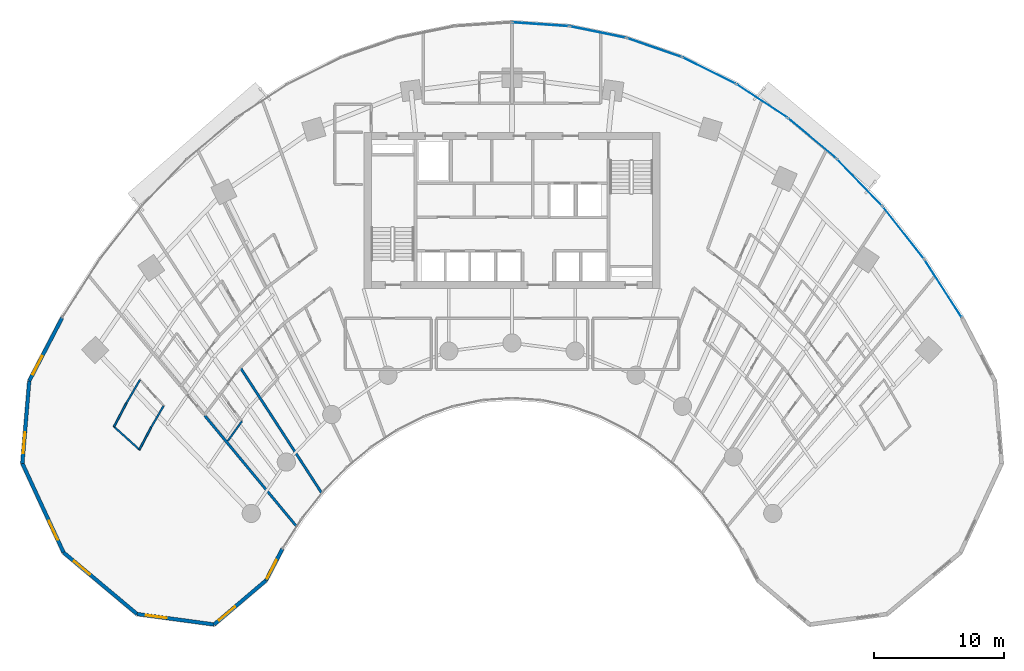
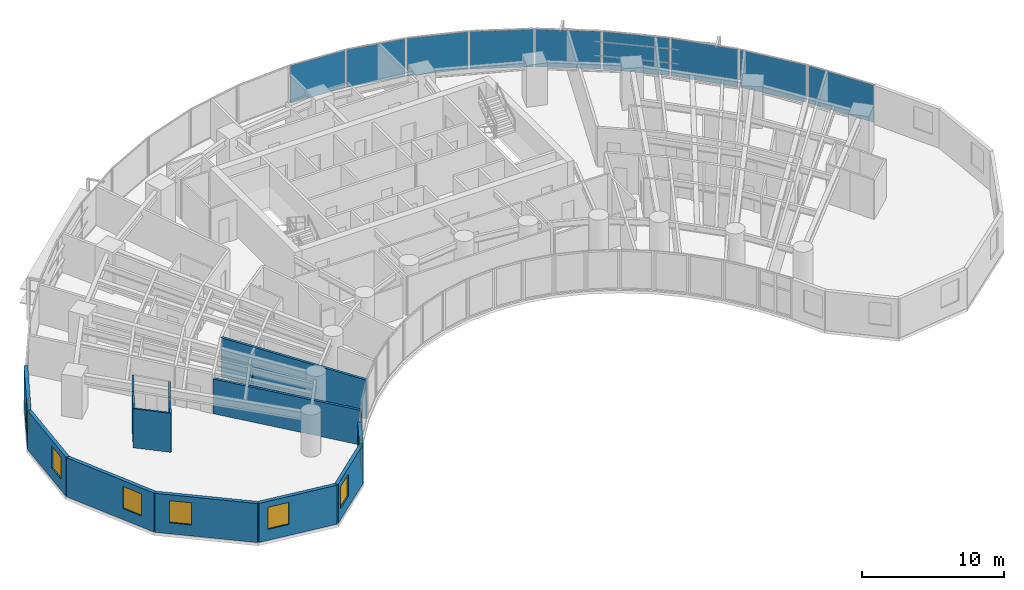
# One storey, part 10 of 18: 15 walls, 9 plates, 7 windows, 7 openings, 9 elements without a shape of their own.
"""IFC4 building model written with IfcOpenShell, lengths in metres."""

from ifc_helpers import new_model, si_unit, direction, frame, frame_2d, origin, origin_2d, place, context, subcontext, project, spatial, rectangle, extrude, source, transform, mapped, material, layer, layer_set, type_object, type_shapes, element, fill, aggregate, save


model = new_model("IFC4")

# Units and contexts
model_context = context("Model", 3, precision=1e-05, world=origin(), true_north=direction((0.0, 1.0)))
body_context = subcontext(model_context, "Body", "Model", "MODEL_VIEW")
ifc_project = project(units=[si_unit("LENGTHUNIT", "METRE"), si_unit("AREAUNIT", "SQUARE_METRE"), si_unit("VOLUMEUNIT", "CUBIC_METRE"), si_unit("PLANEANGLEUNIT", "RADIAN"), si_unit("MASSUNIT", "GRAM", prefix="KILO")], contexts=[model_context])

# Site, building, storey
site_placement = place(None, origin())
site = spatial("IfcSite", under=ifc_project, at=site_placement, CompositionType="ELEMENT")
building_placement = place(site_placement, origin())
building = spatial("IfcBuilding", under=site, at=building_placement, Name="Breltana Convention Tower", CompositionType="ELEMENT")
storey_placement = place(building_placement, frame((0.0, 0.0, 42.60009765625)))
storey = spatial("IfcBuildingStorey", under=building, at=storey_placement, Name="L08", CompositionType="ELEMENT", Elevation=42.60009765625)

# Curtain wall, plate
ifc_material_1 = material(Name="Aluminium Anodised Bronze Frame", Category="aluminium")
ifc_layer_1 = layer(ifc_material_1, 0.199951171875, Name="Aluminium Anodised Bronze Frame")
ifc_layer_set_1 = layer_set([ifc_layer_1], Name="Aluminium Anodised Bronze Frame")
curtain_wall_type = type_object("IfcCurtainWallType", Name="CW-SYS-2", PredefinedType="NOTDEFINED", material=ifc_layer_set_1)
curtain_wall_1_placement = place(storey_placement, origin())
curtain_wall_1 = element("IfcCurtainWall", 1, at=curtain_wall_1_placement, inside=storey, type_object=curtain_wall_type, Name="L08 outer double-skin inner glazing 17", PredefinedType="NOTDEFINED")
ifc_material_2 = material(Name="Glass Low-E Double Glazing", Category="glass")
ifc_layer_2 = layer(ifc_material_2, 0.031982421875, Name="Glass Low-E Double Glazing")
ifc_layer_set_2 = layer_set([ifc_layer_2], Name="Glass Low-E Double Glazing")
plate_type = type_object("IfcPlateType", Name="CWP-IGU-32", PredefinedType="CURTAIN_PANEL", material=ifc_layer_set_2)
shared_shape_1 = source(origin(), body_context, "Body", "SweptSolid", [
    extrude(rectangle(XDim=5.0546875, YDim=0.031982421875, at=origin_2d()), origin(), (0.0, 0.0, 1.0), 3.219970703125),
])
plate_1_placement = place(storey_placement, frame((78.038818359375, 64.504638671875, 0.06982421875), z_axis=(0.0, 0.0, 1.0), x_axis=(0.618153917633, -0.786057080698, 0.0)))
plate_1 = element("IfcPlate", 2, at=plate_1_placement, type_object=plate_type, Name="CW-02 panel 1.1", PredefinedType="CURTAIN_PANEL", context=body_context, shape_type="MappedRepresentation", body=[
    mapped(shared_shape_1, transform((0.0, 0.0, 0.0), scale=1.0)),
])
aggregate(curtain_wall_1, [plate_1])

curtain_wall_2_placement = place(storey_placement, origin())
curtain_wall_2 = element("IfcCurtainWall", 3, at=curtain_wall_2_placement, inside=storey, type_object=curtain_wall_type, Name="L08 outer double-skin inner glazing 16", PredefinedType="NOTDEFINED")
shared_shape_2 = source(origin(), body_context, "Body", "SweptSolid", [
    extrude(rectangle(XDim=4.901123046875, YDim=0.031982421875, at=origin_2d()), origin(), (0.0, 0.0, 1.0), 3.219970703125),
])
plate_2_placement = place(storey_placement, frame((74.682373046875, 68.359619140625, 0.06982421875), z_axis=(0.0, 0.0, 1.0), x_axis=(0.694610090106, -0.719386421003, 0.0)))
plate_2 = element("IfcPlate", 4, at=plate_2_placement, type_object=plate_type, Name="CW-02 panel 1.1", PredefinedType="CURTAIN_PANEL", context=body_context, shape_type="MappedRepresentation", body=[
    mapped(shared_shape_2, transform((0.0, 0.0, 0.0), scale=1.0)),
])
aggregate(curtain_wall_2, [plate_2])

curtain_wall_3_placement = place(storey_placement, origin())
curtain_wall_3 = element("IfcCurtainWall", 5, at=curtain_wall_3_placement, inside=storey, type_object=curtain_wall_type, Name="L08 outer double-skin inner glazing 15", PredefinedType="NOTDEFINED")
shared_shape_3 = source(origin(), body_context, "Body", "SweptSolid", [
    extrude(rectangle(XDim=4.7509765625, YDim=0.031982421875, at=origin_2d()), origin(), (0.0, 0.0, 1.0), 3.219970703125),
])
plate_3_placement = place(storey_placement, frame((71.0537109375, 71.7392578125, 0.06982421875), z_axis=(0.0, 0.0, 1.0), x_axis=(0.767941326958, -0.640520193554, 0.0)))
plate_3 = element("IfcPlate", 6, at=plate_3_placement, type_object=plate_type, Name="CW-02 panel 1.1", PredefinedType="CURTAIN_PANEL", context=body_context, shape_type="MappedRepresentation", body=[
    mapped(shared_shape_3, transform((0.0, 0.0, 0.0), scale=1.0)),
])
aggregate(curtain_wall_3, [plate_3])

curtain_wall_4_placement = place(storey_placement, origin())
curtain_wall_4 = element("IfcCurtainWall", 7, at=curtain_wall_4_placement, inside=storey, type_object=curtain_wall_type, Name="L08 outer double-skin inner glazing 14", PredefinedType="NOTDEFINED")
shared_shape_4 = source(origin(), body_context, "Body", "SweptSolid", [
    extrude(rectangle(XDim=4.610595703125, YDim=0.031982421875, at=origin_2d()), origin(), (0.0, 0.0, 1.0), 3.219970703125),
])
plate_4_placement = place(storey_placement, frame((67.18994140625, 74.609130859375, 0.06982421875), z_axis=(0.0, 0.0, 1.0), x_axis=(0.83596401875, -0.548784255746, 0.0)))
plate_4 = element("IfcPlate", 8, at=plate_4_placement, type_object=plate_type, Name="CW-02 panel 1.1", PredefinedType="CURTAIN_PANEL", context=body_context, shape_type="MappedRepresentation", body=[
    mapped(shared_shape_4, transform((0.0, 0.0, 0.0), scale=1.0)),
])
aggregate(curtain_wall_4, [plate_4])

curtain_wall_5_placement = place(storey_placement, origin())
curtain_wall_5 = element("IfcCurtainWall", 9, at=curtain_wall_5_placement, inside=storey, type_object=curtain_wall_type, Name="L08 outer double-skin inner glazing 13", PredefinedType="NOTDEFINED")
shared_shape_5 = source(origin(), body_context, "Body", "SweptSolid", [
    extrude(rectangle(XDim=4.487548828125, YDim=0.031982421875, at=origin_2d()), origin(), (0.0, 0.0, 1.0), 3.219970703125),
])
plate_5_placement = place(storey_placement, frame((63.13134765625, 76.940185546875, 0.06982421875), z_axis=(0.0, 0.0, 1.0), x_axis=(0.895973407804, -0.444107703726, 0.0)))
plate_5 = element("IfcPlate", 10, at=plate_5_placement, type_object=plate_type, Name="CW-02 panel 1.1", PredefinedType="CURTAIN_PANEL", context=body_context, shape_type="MappedRepresentation", body=[
    mapped(shared_shape_5, transform((0.0, 0.0, 0.0), scale=1.0)),
])
aggregate(curtain_wall_5, [plate_5])

curtain_wall_6_placement = place(storey_placement, origin())
curtain_wall_6 = element("IfcCurtainWall", 11, at=curtain_wall_6_placement, inside=storey, type_object=curtain_wall_type, Name="L08 outer double-skin inner glazing 12", PredefinedType="NOTDEFINED")
shared_shape_6 = source(origin(), body_context, "Body", "SweptSolid", [
    extrude(rectangle(XDim=4.388427734375, YDim=0.031982421875, at=origin_2d()), origin(), (0.0, 0.0, 1.0), 3.219970703125),
])
plate_6_placement = place(storey_placement, frame((58.9189453125, 78.709228515625, 0.06982421875), z_axis=(0.0, 0.0, 1.0), x_axis=(0.944876012163, -0.32742834581, 0.0)))
plate_6 = element("IfcPlate", 12, at=plate_6_placement, type_object=plate_type, Name="CW-02 panel 1.1", PredefinedType="CURTAIN_PANEL", context=body_context, shape_type="MappedRepresentation", body=[
    mapped(shared_shape_6, transform((0.0, 0.0, 0.0), scale=1.0)),
])
aggregate(curtain_wall_6, [plate_6])

curtain_wall_7_placement = place(storey_placement, origin())
curtain_wall_7 = element("IfcCurtainWall", 13, at=curtain_wall_7_placement, inside=storey, type_object=curtain_wall_type, Name="L08 outer double-skin inner glazing 11", PredefinedType="NOTDEFINED")
shared_shape_7 = source(origin(), body_context, "Body", "SweptSolid", [
    extrude(rectangle(XDim=4.318359375, YDim=0.031982421875, at=origin_2d()), origin(), (0.0, 0.0, 1.0), 3.219970703125),
])
plate_7_placement = place(storey_placement, frame((54.595703125, 79.898193359375, 0.06982421875), z_axis=(0.0, 0.0, 1.0), x_axis=(0.979614925743, -0.200884537139, 0.0)))
plate_7 = element("IfcPlate", 14, at=plate_7_placement, type_object=plate_type, Name="CW-02 panel 1.1", PredefinedType="CURTAIN_PANEL", context=body_context, shape_type="MappedRepresentation", body=[
    mapped(shared_shape_7, transform((0.0, 0.0, 0.0), scale=1.0)),
])
aggregate(curtain_wall_7, [plate_7])

curtain_wall_8_placement = place(storey_placement, origin())
curtain_wall_8 = element("IfcCurtainWall", 15, at=curtain_wall_8_placement, inside=storey, type_object=curtain_wall_type, Name="L08 outer double-skin inner glazing 10", PredefinedType="NOTDEFINED")
shared_shape_8 = source(origin(), body_context, "Body", "SweptSolid", [
    extrude(rectangle(XDim=4.2822265625, YDim=0.031982421875, at=origin_2d()), origin(), (0.0, 0.0, 1.0), 3.219970703125),
])
plate_8_placement = place(storey_placement, frame((50.2060546875, 80.495849609375, 0.06982421875), z_axis=(0.0, 0.0, 1.0), x_axis=(0.997703982282, -0.067725650529, 0.0)))
plate_8 = element("IfcPlate", 16, at=plate_8_placement, type_object=plate_type, Name="CW-02 panel 1.1", PredefinedType="CURTAIN_PANEL", context=body_context, shape_type="MappedRepresentation", body=[
    mapped(shared_shape_8, transform((0.0, 0.0, 0.0), scale=1.0)),
])
aggregate(curtain_wall_8, [plate_8])

curtain_wall_9_placement = place(storey_placement, origin())
curtain_wall_9 = element("IfcCurtainWall", 17, at=curtain_wall_9_placement, inside=storey, type_object=curtain_wall_type, Name="L08 outer double-skin inner glazing 18", PredefinedType="NOTDEFINED")
shared_shape_9 = source(origin(), body_context, "Body", "SweptSolid", [
    extrude(rectangle(XDim=5.20556640625, YDim=0.031982421875, at=origin_2d()), origin(), (0.0, 0.0, 1.0), 3.219970703125),
])
plate_9_placement = place(storey_placement, frame((81.088134765625, 60.2138671875, 0.06982421875), z_axis=(0.0, 0.0, 1.0), x_axis=(0.540180724109, -0.841549039154, 0.0)))
plate_9 = element("IfcPlate", 18, at=plate_9_placement, type_object=plate_type, Name="CW-02 panel 1.1", PredefinedType="CURTAIN_PANEL", context=body_context, shape_type="MappedRepresentation", body=[
    mapped(shared_shape_9, transform((0.0, 0.0, 0.0), scale=1.0)),
])
aggregate(curtain_wall_9, [plate_9])

# Wall, opening, window
ifc_material_3 = material(Name="Limestone Buff Insulated Wall", Category="masonry")
ifc_layer_3 = layer(ifc_material_3, 0.280029296875, Name="Limestone Buff Insulated Wall")
ifc_layer_set_3 = layer_set([ifc_layer_3], Name="Limestone Buff Insulated Wall")
wall_type_1 = type_object("IfcWallType", Name="WL-EXT-NOSE-280", PredefinedType="SOLIDWALL", material=ifc_layer_set_3)
shared_shape_10 = source(origin(), body_context, "Body", "SweptSolid", [
    extrude(rectangle(XDim=6.3525390625, YDim=0.280029296875, at=frame_2d((3.17626953125, 0.0))), origin(), (0.0, 0.0, 1.0), 3.35986328125),
])
wall_1_placement = place(storey_placement, frame((10.417724609375, 46.79150390625, 0.0), z_axis=(0.0, 0.0, 1.0), x_axis=(0.083319001377, 0.996522926986, 0.0)))
wall_1 = element("IfcWall", 19, at=wall_1_placement, inside=storey, type_object=wall_type_1, Name="L08 curved limestone nose wall W6", PredefinedType="SOLIDWALL", context=body_context, shape_type="MappedRepresentation", body=[
    mapped(shared_shape_10, transform((0.0, 0.0, 0.0), scale=1.0)),
])
opening_1_placement = place(wall_1_placement, frame((0.7880859375, 0.0, 0.949951171875)))
opening_1 = element("IfcOpeningElement", 20, at=opening_1_placement, cuts=wall_1, Name="Opening W-04", PredefinedType="OPENING", context=body_context, shape_type="SweptSolid", body=[
    extrude(rectangle(XDim=1.60009765625, YDim=1.89990234375, at=frame_2d((0.800048828125, 0.949951171875))), frame((0.0, 0.14990234375, 0.0), z_axis=(0.0, -1.0, 0.0), x_axis=(1.0, 0.0, 0.0)), (0.0, 0.0, 1.0), 0.300048828125),
])
ifc_material_4 = material(Name="Glass Low-E Insulated Window", Category="glass")
window_type = type_object("IfcWindowType", Name="WN-NOSE-1600X1900", PartitioningType="SINGLE_PANEL", PredefinedType="WINDOW", material=ifc_material_4)
shared_shape_11 = source(origin(), body_context, "Body", "SweptSolid", [
    extrude(rectangle(XDim=1.60009765625, YDim=1.89990234375, at=frame_2d((0.800048828125, 0.949951171875))), frame((0.0, 0.030029296875, 0.0), z_axis=(0.0, -1.0, 0.0), x_axis=(1.0, 0.0, 0.0)), (0.0, 0.0, 1.0), 0.06005859375),
])
type_shapes(window_type, [shared_shape_11])
window_1_placement = place(opening_1_placement, origin())
window_1 = element("IfcWindow", 21, at=window_1_placement, inside=storey, type_object=window_type, Name="L08 nose window W6", OverallHeight=1.89990234375, OverallWidth=1.60009765625, PartitioningType="SINGLE_PANEL", PredefinedType="WINDOW", context=body_context, shape_type="MappedRepresentation", body=[
    mapped(shared_shape_11, transform((0.0, 0.0, 0.0), scale=1.0)),
])
fill(opening_1, window_1)

shared_shape_12 = source(origin(), body_context, "Body", "SweptSolid", [
    extrude(rectangle(XDim=7.536376953125, YDim=0.280029296875, at=frame_2d((3.76806640625, 0.0))), origin(), (0.0, 0.0, 1.0), 3.35986328125),
])
wall_2_placement = place(storey_placement, frame((13.580322265625, 39.950927734375, 0.0), z_axis=(0.0, 0.0, 1.0), x_axis=(-0.41964973873, 0.907686122393, 0.0)))
wall_2 = element("IfcWall", 22, at=wall_2_placement, inside=storey, type_object=wall_type_1, Name="L08 curved limestone nose wall W5", PredefinedType="SOLIDWALL", context=body_context, shape_type="MappedRepresentation", body=[
    mapped(shared_shape_12, transform((0.0, 0.0, 0.0), scale=1.0)),
])
opening_2_placement = place(wall_2_placement, frame((1.083984375, 0.0, 0.949951171875)))
opening_2 = element("IfcOpeningElement", 23, at=opening_2_placement, cuts=wall_2, Name="Opening W-04", PredefinedType="OPENING", context=body_context, shape_type="SweptSolid", body=[
    extrude(rectangle(XDim=1.60009765625, YDim=1.89990234375, at=frame_2d((0.800048828125, 0.949951171875))), frame((0.0, 0.14990234375, 0.0), z_axis=(0.0, -1.0, 0.0), x_axis=(1.0, 0.0, 0.0)), (0.0, 0.0, 1.0), 0.300048828125),
])
window_2_placement = place(opening_2_placement, origin())
window_2 = element("IfcWindow", 24, at=window_2_placement, inside=storey, type_object=window_type, Name="L08 nose window W5", OverallHeight=1.89990234375, OverallWidth=1.60009765625, PartitioningType="SINGLE_PANEL", PredefinedType="WINDOW", context=body_context, shape_type="MappedRepresentation", body=[
    mapped(shared_shape_11, transform((0.0, 0.0, 0.0), scale=1.0)),
])
fill(opening_2, window_2)

shared_shape_13 = source(origin(), body_context, "Body", "SweptSolid", [
    extrude(rectangle(XDim=7.35888671875, YDim=0.280029296875, at=frame_2d((3.679443359375, 0.0))), origin(), (0.0, 0.0, 1.0), 3.35986328125),
])
wall_3_placement = place(storey_placement, frame((19.22265625, 35.226806640625, 0.0), z_axis=(0.0, 0.0, 1.0), x_axis=(-0.766737165543, 0.641961150675, 0.0)))
wall_3 = element("IfcWall", 25, at=wall_3_placement, inside=storey, type_object=wall_type_1, Name="L08 curved limestone nose wall W4", PredefinedType="SOLIDWALL", context=body_context, shape_type="MappedRepresentation", body=[
    mapped(shared_shape_13, transform((0.0, 0.0, 0.0), scale=1.0)),
])
opening_3_placement = place(wall_3_placement, frame((4.71923828125, 0.0, 0.949951171875)))
opening_3 = element("IfcOpeningElement", 26, at=opening_3_placement, cuts=wall_3, Name="Opening W-04", PredefinedType="OPENING", context=body_context, shape_type="SweptSolid", body=[
    extrude(rectangle(XDim=1.60009765625, YDim=1.89990234375, at=frame_2d((0.800048828125, 0.949951171875))), frame((0.0, 0.14990234375, 0.0), z_axis=(0.0, -1.0, 0.0), x_axis=(1.0, 0.0, 0.0)), (0.0, 0.0, 1.0), 0.300048828125),
])
window_3_placement = place(opening_3_placement, origin())
window_3 = element("IfcWindow", 27, at=window_3_placement, inside=storey, type_object=window_type, Name="L08 nose window W4", OverallHeight=1.89990234375, OverallWidth=1.60009765625, PartitioningType="SINGLE_PANEL", PredefinedType="WINDOW", context=body_context, shape_type="MappedRepresentation", body=[
    mapped(shared_shape_11, transform((0.0, 0.0, 0.0), scale=1.0)),
])
fill(opening_3, window_3)

shared_shape_14 = source(origin(), body_context, "Body", "SweptSolid", [
    extrude(rectangle(XDim=5.96728515625, YDim=0.280029296875, at=frame_2d((2.983642578125, 0.0))), origin(), (0.0, 0.0, 1.0), 3.35986328125),
])
wall_4_placement = place(storey_placement, frame((25.1357421875, 34.4248046875, 0.0), z_axis=(0.0, 0.0, 1.0), x_axis=(-0.990927009341, 0.134401124099, 0.0)))
wall_4 = element("IfcWall", 28, at=wall_4_placement, inside=storey, type_object=wall_type_1, Name="L08 curved limestone nose wall W3", PredefinedType="SOLIDWALL", context=body_context, shape_type="MappedRepresentation", body=[
    mapped(shared_shape_14, transform((0.0, 0.0, 0.0), scale=1.0)),
])
opening_4_placement = place(wall_4_placement, frame((3.675537109375, 0.0, 0.949951171875)))
opening_4 = element("IfcOpeningElement", 29, at=opening_4_placement, cuts=wall_4, Name="Opening W-04", PredefinedType="OPENING", context=body_context, shape_type="SweptSolid", body=[
    extrude(rectangle(XDim=1.60009765625, YDim=1.89990234375, at=frame_2d((0.800048828125, 0.949951171875))), frame((0.0, 0.14990234375, 0.0), z_axis=(0.0, -1.0, 0.0), x_axis=(1.0, 0.0, 0.0)), (0.0, 0.0, 1.0), 0.300048828125),
])
window_4_placement = place(opening_4_placement, origin())
window_4 = element("IfcWindow", 30, at=window_4_placement, inside=storey, type_object=window_type, Name="L08 nose window W3", OverallHeight=1.89990234375, OverallWidth=1.60009765625, PartitioningType="SINGLE_PANEL", PredefinedType="WINDOW", context=body_context, shape_type="MappedRepresentation", body=[
    mapped(shared_shape_11, transform((0.0, 0.0, 0.0), scale=1.0)),
])
fill(opening_4, window_4)

shared_shape_15 = source(origin(), body_context, "Body", "SweptSolid", [
    extrude(rectangle(XDim=5.222412109375, YDim=0.280029296875, at=frame_2d((2.611328125, 0.0))), origin(), (0.0, 0.0, 1.0), 3.35986328125),
])
wall_5_placement = place(storey_placement, frame((29.11474609375, 37.807373046875, 0.0), z_axis=(0.0, 0.0, 1.0), x_axis=(-0.761900099546, -0.647694556339, 0.0)))
wall_5 = element("IfcWall", 31, at=wall_5_placement, inside=storey, type_object=wall_type_1, Name="L08 curved limestone nose wall W2", PredefinedType="SOLIDWALL", context=body_context, shape_type="MappedRepresentation", body=[
    mapped(shared_shape_15, transform((0.0, 0.0, 0.0), scale=1.0)),
])
opening_5_placement = place(wall_5_placement, frame((3.11669921875, 0.0, 0.949951171875)))
opening_5 = element("IfcOpeningElement", 32, at=opening_5_placement, cuts=wall_5, Name="Opening W-04", PredefinedType="OPENING", context=body_context, shape_type="SweptSolid", body=[
    extrude(rectangle(XDim=1.60009765625, YDim=1.89990234375, at=frame_2d((0.800048828125, 0.949951171875))), frame((0.0, 0.14990234375, 0.0), z_axis=(0.0, -1.0, 0.0), x_axis=(1.0, 0.0, 0.0)), (0.0, 0.0, 1.0), 0.300048828125),
])
window_5_placement = place(opening_5_placement, origin())
window_5 = element("IfcWindow", 33, at=window_5_placement, inside=storey, type_object=window_type, Name="L08 nose window W2", OverallHeight=1.89990234375, OverallWidth=1.60009765625, PartitioningType="SINGLE_PANEL", PredefinedType="WINDOW", context=body_context, shape_type="MappedRepresentation", body=[
    mapped(shared_shape_11, transform((0.0, 0.0, 0.0), scale=1.0)),
])
fill(opening_5, window_5)

shared_shape_16 = source(origin(), body_context, "Body", "SweptSolid", [
    extrude(rectangle(XDim=2.7353515625, YDim=0.280029296875, at=frame_2d((1.36767578125, 0.0))), origin(), (0.0, 0.0, 1.0), 3.35986328125),
])
wall_6_placement = place(storey_placement, frame((30.3779296875, 40.233642578125, 0.0), z_axis=(0.0, 0.0, 1.0), x_axis=(-0.46179107292, -0.886988728774, 0.0)))
wall_6 = element("IfcWall", 34, at=wall_6_placement, inside=storey, type_object=wall_type_1, Name="L08 curved limestone nose wall W1", PredefinedType="SOLIDWALL", context=body_context, shape_type="MappedRepresentation", body=[
    mapped(shared_shape_16, transform((0.0, 0.0, 0.0), scale=1.0)),
])
opening_6_placement = place(wall_6_placement, frame((0.9755859375, 0.0, 0.949951171875)))
opening_6 = element("IfcOpeningElement", 35, at=opening_6_placement, cuts=wall_6, Name="Opening W-04", PredefinedType="OPENING", context=body_context, shape_type="SweptSolid", body=[
    extrude(rectangle(XDim=1.60009765625, YDim=1.89990234375, at=frame_2d((0.800048828125, 0.949951171875))), frame((0.0, 0.14990234375, 0.0), z_axis=(0.0, -1.0, 0.0), x_axis=(1.0, 0.0, 0.0)), (0.0, 0.0, 1.0), 0.300048828125),
])
window_6_placement = place(opening_6_placement, origin())
window_6 = element("IfcWindow", 36, at=window_6_placement, inside=storey, type_object=window_type, Name="L08 nose window W1", OverallHeight=1.89990234375, OverallWidth=1.60009765625, PartitioningType="SINGLE_PANEL", PredefinedType="WINDOW", context=body_context, shape_type="MappedRepresentation", body=[
    mapped(shared_shape_11, transform((0.0, 0.0, 0.0), scale=1.0)),
])
fill(opening_6, window_6)

shared_shape_17 = source(origin(), body_context, "Body", "SweptSolid", [
    extrude(rectangle(XDim=5.45947265625, YDim=0.280029296875, at=frame_2d((2.729736328125, 0.0))), origin(), (0.0, 0.0, 1.0), 3.35986328125),
])
wall_7_placement = place(storey_placement, frame((10.947021484375, 53.1220703125, 0.0), z_axis=(0.0, 0.0, 1.0), x_axis=(0.461768054321, 0.887000712518, 0.0)))
wall_7 = element("IfcWall", 37, at=wall_7_placement, inside=storey, type_object=wall_type_1, Name="L08 curved limestone nose wall W7", PredefinedType="SOLIDWALL", context=body_context, shape_type="MappedRepresentation", body=[
    mapped(shared_shape_17, transform((0.0, 0.0, 0.0), scale=1.0)),
])
opening_7_placement = place(wall_7_placement, frame((0.56494140625, 0.0, 0.949951171875)))
opening_7 = element("IfcOpeningElement", 38, at=opening_7_placement, cuts=wall_7, Name="Opening W-04", PredefinedType="OPENING", context=body_context, shape_type="SweptSolid", body=[
    extrude(rectangle(XDim=1.60009765625, YDim=1.89990234375, at=frame_2d((0.800048828125, 0.949951171875))), frame((0.0, 0.14990234375, 0.0), z_axis=(0.0, -1.0, 0.0), x_axis=(1.0, 0.0, 0.0)), (0.0, 0.0, 1.0), 0.300048828125),
])
window_7_placement = place(opening_7_placement, origin())
window_7 = element("IfcWindow", 39, at=window_7_placement, inside=storey, type_object=window_type, Name="L08 nose window W7", OverallHeight=1.89990234375, OverallWidth=1.60009765625, PartitioningType="SINGLE_PANEL", PredefinedType="WINDOW", context=body_context, shape_type="MappedRepresentation", body=[
    mapped(shared_shape_11, transform((0.0, 0.0, 0.0), scale=1.0)),
])
fill(opening_7, window_7)

# Walls
ifc_material_5 = material(Name="Gypsum Acoustic Hotel Wall")
ifc_layer_4 = layer(ifc_material_5, 0.195068359375, Name="Gypsum Acoustic Hotel Wall")
ifc_layer_set_4 = layer_set([ifc_layer_4], Name="Gypsum Acoustic Hotel Wall")
wall_type_2 = type_object("IfcWallType", Name="WL-HOTEL-200", PredefinedType="PARTITIONING", material=ifc_layer_set_4)
shared_shape_18 = source(origin(), body_context, "Body", "SweptSolid", [
    extrude(rectangle(XDim=11.05322265625, YDim=0.195068359375, at=frame_2d((5.526611328125, 0.0))), origin(), (0.0, 0.0, 1.0), 2.98388671875),
])
wall_8_placement = place(storey_placement, frame((31.466064453125, 41.948974609375, 0.0), z_axis=(0.0, 0.0, 1.0), x_axis=(-0.638131235571, 0.769927611005, 0.0)))
element("IfcWall", 40, at=wall_8_placement, inside=storey, type_object=wall_type_2, Name="L08 interior partition W-L08-HK02-RA", PredefinedType="PARTITIONING", context=body_context, shape_type="MappedRepresentation", body=[
    mapped(shared_shape_18, transform((0.0, 0.0, 0.0), scale=1.0)),
])
ifc_material_6 = material(Name="Moisture-Resistant En-Suite Partition")
ifc_layer_5 = layer(ifc_material_6, 0.139892578125, Name="Moisture-Resistant En-Suite Partition")
ifc_layer_set_5 = layer_set([ifc_layer_5], Name="Moisture-Resistant En-Suite Partition")
wall_type_3 = type_object("IfcWallType", Name="WL-WET-150", PredefinedType="PARTITIONING", material=ifc_layer_set_5)
shared_shape_19 = source(origin(), body_context, "Body", "SweptSolid", [
    extrude(rectangle(XDim=1.883544921875, YDim=0.139892578125, at=frame_2d((0.94189453125, 0.0))), origin(), (0.0, 0.0, 1.0), 2.802978515625),
])
wall_9_placement = place(storey_placement, frame((26.176513671875, 48.497802734375, 0.0), z_axis=(0.0, 0.0, 1.0), x_axis=(0.580833492897, 0.814022391295, 0.0)))
element("IfcWall", 41, at=wall_9_placement, inside=storey, type_object=wall_type_3, Name="L08 interior partition W-L08-HK02E-BK", PredefinedType="PARTITIONING", context=body_context, shape_type="MappedRepresentation", body=[
    mapped(shared_shape_19, transform((0.0, 0.0, 0.0), scale=1.0)),
])
shared_shape_20 = source(origin(), body_context, "Body", "SweptSolid", [
    extrude(rectangle(XDim=11.4287109375, YDim=0.195068359375, at=frame_2d((5.71435546875, 0.0))), origin(), (0.0, 0.0, 1.0), 3.35986328125),
])
wall_10_placement = place(storey_placement, frame((33.396484375, 44.510986328125, 0.0), z_axis=(0.0, 0.0, 1.0), x_axis=(-0.544215487077, 0.838945471187, 0.0)))
element("IfcWall", 42, at=wall_10_placement, inside=storey, type_object=wall_type_2, Name="L08 interior partition W-L08-HK02-RB", PredefinedType="PARTITIONING", context=body_context, shape_type="MappedRepresentation", body=[
    mapped(shared_shape_20, transform((0.0, 0.0, 0.0), scale=1.0)),
])
shared_shape_21 = source(origin(), body_context, "Body", "SweptSolid", [
    extrude(rectangle(XDim=2.738037109375, YDim=0.139892578125, at=frame_2d((1.369140625, 0.0))), origin(), (0.0, 0.0, 1.0), 3.35986328125),
])
wall_11_placement = place(storey_placement, frame((19.439697265625, 47.81396484375, 0.0), z_axis=(0.0, 0.0, 1.0), x_axis=(-0.741873676582, 0.670539669218, 0.0)))
element("IfcWall", 43, at=wall_11_placement, inside=storey, type_object=wall_type_3, Name="L08 interior partition W-L08-CSENS-W-F", PredefinedType="PARTITIONING", context=body_context, shape_type="MappedRepresentation", body=[
    mapped(shared_shape_21, transform((0.0, 0.0, 0.0), scale=1.0)),
])
shared_shape_22 = source(origin(), body_context, "Body", "SweptSolid", [
    extrude(rectangle(XDim=1.936279296875, YDim=0.139892578125, at=frame_2d((0.96826171875, 0.0))), origin(), (0.0, 0.0, 1.0), 3.35986328125),
])
wall_12_placement = place(storey_placement, frame((19.398193359375, 47.8515625, 0.0), z_axis=(0.0, 0.0, 1.0), x_axis=(0.467174971862, 0.884164886017, 0.0)))
element("IfcWall", 44, at=wall_12_placement, inside=storey, type_object=wall_type_3, Name="L08 interior partition W-L08-CSENS-W-B1A", PredefinedType="PARTITIONING", context=body_context, shape_type="MappedRepresentation", body=[
    mapped(shared_shape_22, transform((0.0, 0.0, 0.0), scale=1.0)),
])
shared_shape_23 = source(origin(), body_context, "Body", "SweptSolid", [
    extrude(rectangle(XDim=2.068115234375, YDim=0.139892578125, at=frame_2d((1.0341796875, 0.0))), origin(), (0.0, 0.0, 1.0), 3.35986328125),
])
wall_13_placement = place(storey_placement, frame((17.449951171875, 49.6123046875, 0.0), z_axis=(0.0, 0.0, 1.0), x_axis=(0.467215057643, 0.884143704333, 0.0)))
element("IfcWall", 45, at=wall_13_placement, inside=storey, type_object=wall_type_3, Name="L08 interior partition W-L08-CSENS-W-B2A", PredefinedType="PARTITIONING", context=body_context, shape_type="MappedRepresentation", body=[
    mapped(shared_shape_23, transform((0.0, 0.0, 0.0), scale=1.0)),
])
shared_shape_24 = source(origin(), body_context, "Body", "SweptSolid", [
    extrude(rectangle(XDim=1.914306640625, YDim=0.139892578125, at=frame_2d((0.95703125, 0.0))), origin(), (0.0, 0.0, 1.0), 3.35986328125),
])
wall_14_placement = place(storey_placement, frame((20.302734375, 49.5634765625, 0.0), z_axis=(0.0, 0.0, 1.0), x_axis=(0.502347790612, 0.864665656347, 0.0)))
element("IfcWall", 46, at=wall_14_placement, inside=storey, type_object=wall_type_3, Name="L08 interior partition W-L08-CSENS-W-B1B", PredefinedType="PARTITIONING", context=body_context, shape_type="MappedRepresentation", body=[
    mapped(shared_shape_24, transform((0.0, 0.0, 0.0), scale=1.0)),
])
shared_shape_25 = source(origin(), body_context, "Body", "SweptSolid", [
    extrude(rectangle(XDim=2.044677734375, YDim=0.139892578125, at=frame_2d((1.0224609375, 0.0))), origin(), (0.0, 0.0, 1.0), 3.35986328125),
])
wall_15_placement = place(storey_placement, frame((18.416259765625, 51.44091796875, 0.0), z_axis=(0.0, 0.0, 1.0), x_axis=(0.5023112139, 0.864686905411, 0.0)))
element("IfcWall", 47, at=wall_15_placement, inside=storey, type_object=wall_type_3, Name="L08 interior partition W-L08-CSENS-W-B2B", PredefinedType="PARTITIONING", context=body_context, shape_type="MappedRepresentation", body=[
    mapped(shared_shape_25, transform((0.0, 0.0, 0.0), scale=1.0)),
])

save(model, "model.ifc")
